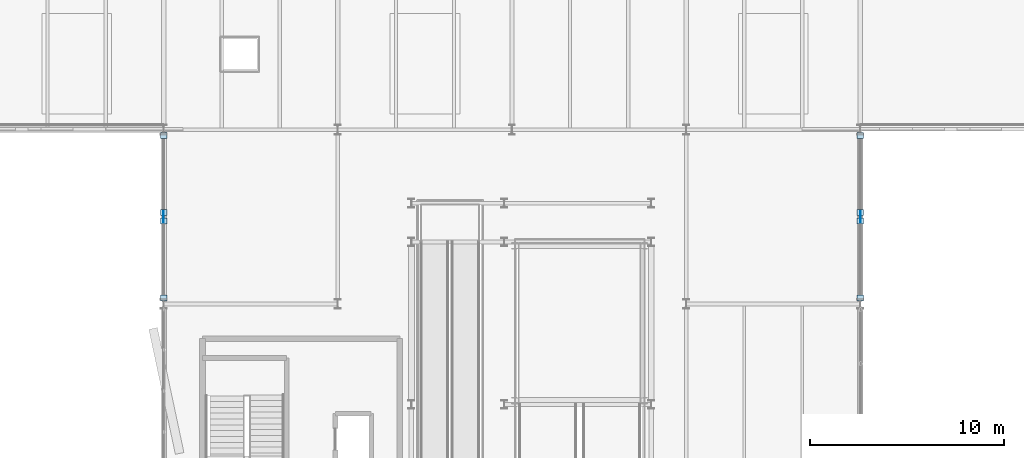
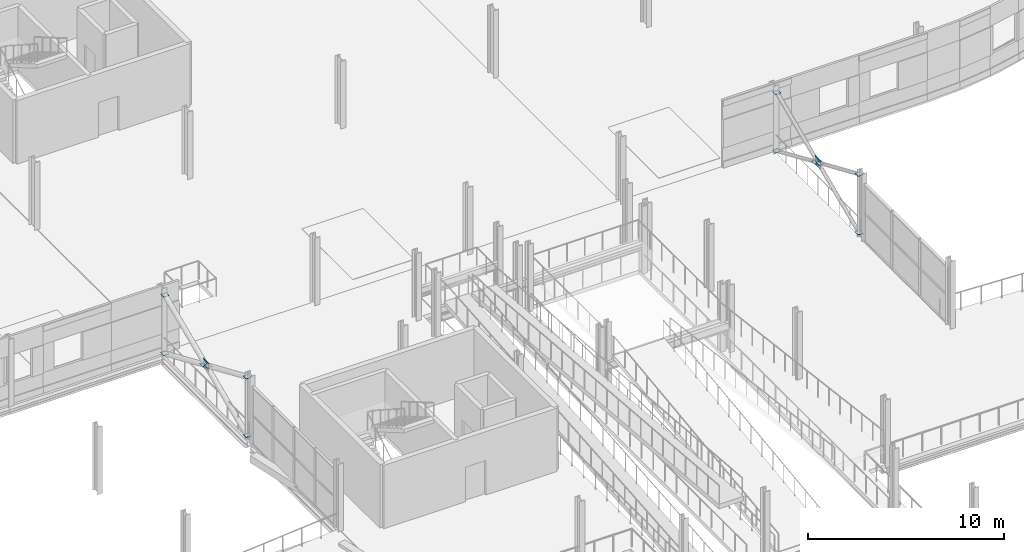
# One storey, part 109 of 135: 14 plates.
"""IFC4 building model written with IfcOpenShell, lengths in metres."""

from ifc_helpers import new_model, si_unit, direction, frame, origin, origin_2d, place, context, subcontext, project, spatial, rectangle, extrude, material, layer, layer_set, type_object, element, save


model = new_model("IFC4")

# Units and contexts
model_context = context("Model", 3, precision=1e-05, world=origin(), true_north=direction((0.0, 1.0)))
body_context = subcontext(model_context, "Body", "Model", "MODEL_VIEW")
ifc_project = project(units=[si_unit("LENGTHUNIT", "METRE"), si_unit("AREAUNIT", "SQUARE_METRE"), si_unit("VOLUMEUNIT", "CUBIC_METRE"), si_unit("PLANEANGLEUNIT", "RADIAN"), si_unit("MASSUNIT", "GRAM", prefix="KILO")], contexts=[model_context])

# Site, building, storey
site_placement = place(None, origin())
site = spatial("IfcSite", under=ifc_project, at=site_placement, CompositionType="ELEMENT")
building_placement = place(site_placement, origin())
building = spatial("IfcBuilding", under=site, at=building_placement, Name="Deido Ridge Mobility Hub", CompositionType="ELEMENT")
storey_placement = place(building_placement, frame((0.0, 0.0, 4.199951171875)))
storey = spatial("IfcBuildingStorey", under=building, at=storey_placement, Name="L01", CompositionType="ELEMENT", Elevation=4.199951171875)

# Plates
ifc_material = material(Name="Steel S355J2 EN 10025-2", Category="steel")
ifc_layer_1 = layer(ifc_material, 0.02197265625, Name="Steel S355J2 EN 10025-2")
ifc_layer_set_1 = layer_set([ifc_layer_1], Name="Steel S355J2 EN 10025-2")
plate_type_1 = type_object("IfcPlateType", Name="PLT-CAP-22", PredefinedType="USERDEFINED", material=ifc_layer_set_1)
for number, where, z_axis, x_axis, name in (
    (1, (72.0, 72.300048828125, 0.1689453125), (0.0, 0.0, 1.0), (1.0, 0.0, 0.0), "Brace sealed end-cap plate EC2 43"),
    (2, (72.0, 80.699951171875, 3.80908203125), (0.0, 0.0, 1.0), (1.0, 0.0, 0.0), "Brace sealed end-cap plate EC2 44"),
    (3, (72.0, 80.699951171875, 0.1689453125), (0.0, 0.0, 1.0), (1.0, 0.0, 0.0), "Brace sealed end-cap plate EC2 45"),
    (4, (72.0, 72.300048828125, 3.80908203125), (0.0, 0.0, 1.0), (1.0, 0.0, 0.0), "Brace sealed end-cap plate EC2 46"),
    (5, (72.0, 76.72021484375, 1.8935546875), (0.0, 0.0, 1.0), (1.0, 0.0, 0.0), "Brace sealed end-cap plate EC2 47"),
    (6, (72.0, 76.27978515625, 2.08447265625), (0.0, 0.0, 1.0), (1.0, 0.0, 0.0), "Brace sealed end-cap plate EC2 48"),
    (7, (108.0, 72.300048828125, 0.1689453125), (0.0, 0.0, 1.0), (1.0, 0.0, 0.0), "Brace sealed end-cap plate EC2 71"),
    (8, (108.0, 80.699951171875, 3.80908203125), (0.0, 0.0, 1.0), (1.0, 0.0, 0.0), "Brace sealed end-cap plate EC2 72"),
    (9, (108.0, 80.699951171875, 0.1689453125), (0.0, 0.0, 1.0), (1.0, 0.0, 0.0), "Brace sealed end-cap plate EC2 73"),
    (10, (108.0, 72.300048828125, 3.80908203125), (0.0, 0.0, 1.0), (1.0, 0.0, 0.0), "Brace sealed end-cap plate EC2 74"),
    (11, (108.0, 76.72021484375, 1.8935546875), (0.0, 0.0, 1.0), (1.0, 0.0, 0.0), "Brace sealed end-cap plate EC2 75"),
    (12, (108.0, 76.27978515625, 2.08447265625), (0.0, 0.0, 1.0), (1.0, 0.0, 0.0), "Brace sealed end-cap plate EC2 76"),
):
    element("IfcPlate", number, at=place(storey_placement, frame(where, z_axis=z_axis, x_axis=x_axis)), inside=storey, type_object=plate_type_1, Name=name, ObjectType="END CAP PLATE", PredefinedType="USERDEFINED", context=body_context, shape_type="SweptSolid", body=[
        extrude(rectangle(XDim=0.320068359375, YDim=0.320068359375, at=origin_2d()), origin(), (0.0, 0.0, 1.0), 0.02197265625),
    ])
ifc_layer_2 = layer(ifc_material, 0.028076171875, Name="Steel S355J2 EN 10025-2")
ifc_layer_set_2 = layer_set([ifc_layer_2], Name="Steel S355J2 EN 10025-2")
plate_type_2 = type_object("IfcPlateType", Name="PLT-GUS-28", PredefinedType="USERDEFINED", material=ifc_layer_set_2)
for number, where, z_axis, x_axis, name in (
    (13, (72.0, 76.5, 1.719970703125), (0.0, 0.0, 1.0), (0.0, 1.0, 0.0), "X-brace central crossing gusset plate GP3 49"),
    (14, (108.0, 76.5, 1.719970703125), (0.0, 0.0, 1.0), (0.0, 1.0, 0.0), "X-brace central crossing gusset plate GP3 77"),
):
    element("IfcPlate", number, at=place(storey_placement, frame(where, z_axis=z_axis, x_axis=x_axis)), inside=storey, type_object=plate_type_2, Name=name, ObjectType="GUSSET PLATE", PredefinedType="USERDEFINED", context=body_context, shape_type="SweptSolid", body=[
        extrude(rectangle(XDim=0.56005859375, YDim=0.028076171875, at=origin_2d()), origin(), (0.0, 0.0, 1.0), 0.56005859375),
    ])

save(model, "model.ifc")
